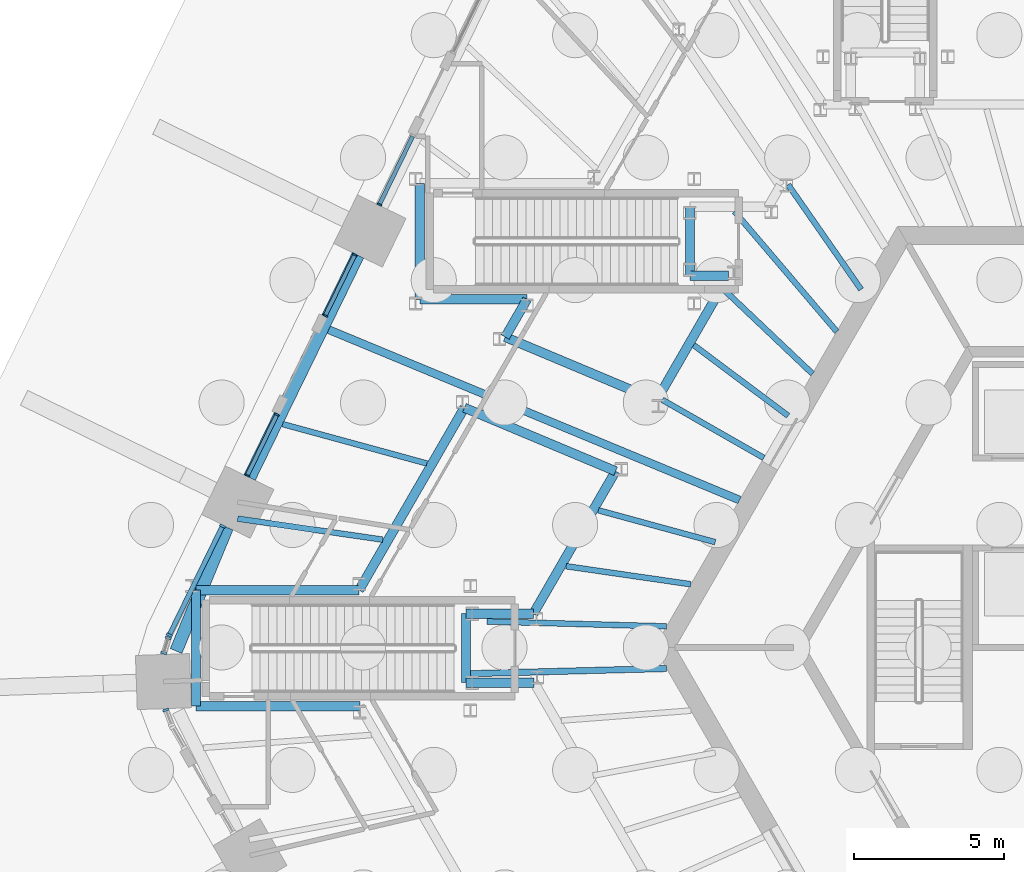
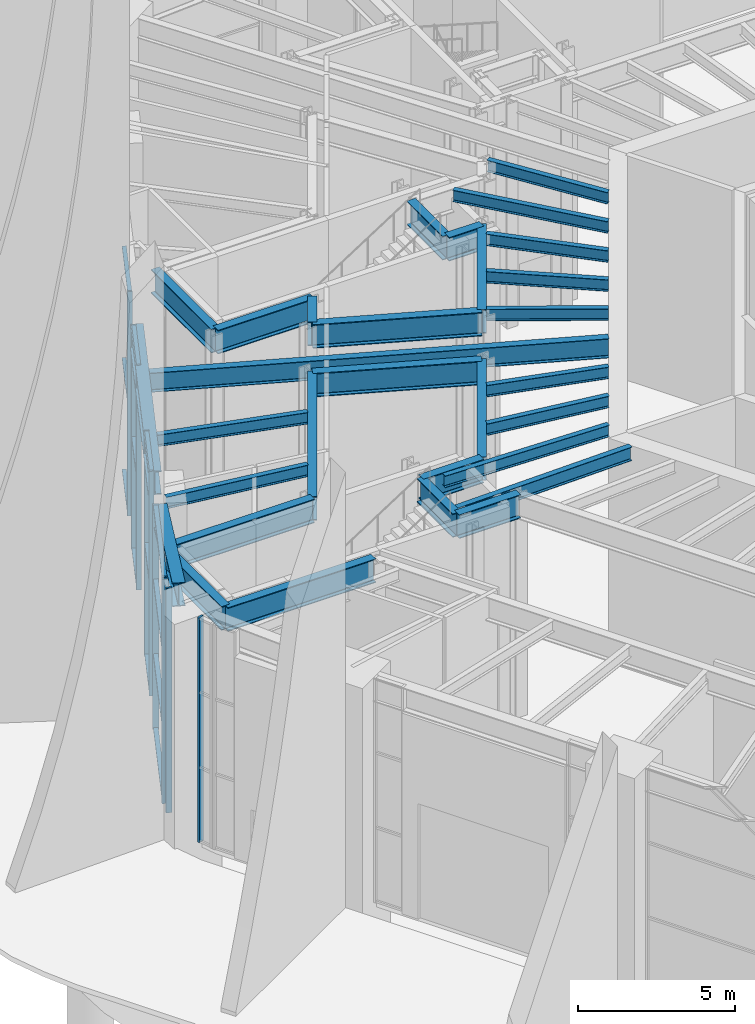
# One storey, part 9 of 43: 30 beams, 23 members, 6 elements without a shape of their own.
"""IFC4 building model written with IfcOpenShell, lengths in metres."""

import ifcopenshell
import ifcopenshell.guid

model = None  # the IFC model being written
_history = None  # IfcOwnerHistory: only IFC2X3 demands one
_inside = {}  # id of a spatial element -> (the spatial element, [elements in it])
_under = {}  # id of a project, library or spatial element -> (it, [spatial elements below it])
_declared = {}  # id of a project -> (the project, [libraries it declares])
_typed = {}  # id of a type object -> (the type object, [elements of that type])
_made_of = {}  # id of a material, layer set ... -> (it, [elements and type objects made of it])


def new_model(schema):
    """Start an empty IFC model of exactly this schema.

    Asked for "IFC4X3", IfcOpenShell would pick the latest addendum, in which some entities
    have other attributes; the version numbers below select the first issue.
    IFC2X3 requires an IfcOwnerHistory on every rooted entity: one is made here for all.
    """
    global model, _history
    if schema == "IFC4X3":
        model = ifcopenshell.file(schema_version=(4, 3, 0, 0))
    else:
        model = ifcopenshell.file(schema=schema)
    _inside.clear()
    _under.clear()
    _declared.clear()
    _typed.clear()
    _made_of.clear()
    _history = None
    if model.schema == "IFC2X3":
        org = make("IfcOrganization", Name="unknown")
        user = make(
            "IfcPersonAndOrganization",
            ThePerson=make("IfcPerson", FamilyName="unknown"),
            TheOrganization=org,
        )
        app = make(
            "IfcApplication",
            ApplicationDeveloper=org,
            Version="unknown",
            ApplicationFullName="unknown",
            ApplicationIdentifier="unknown",
        )
        _history = make(
            "IfcOwnerHistory",
            OwningUser=user,
            OwningApplication=app,
            ChangeAction="ADDED",
            CreationDate=0,
        )
    return model


def make(cls, **values):
    """One entity of the class cls with the attributes given. An attribute that is None is left unset."""
    return model.create_entity(
        cls, **{name: value for name, value in values.items() if value is not None}
    )


def rooted(cls, **values):
    """An entity with a GlobalId (a new one), such as an element, a storey or a relation."""
    return make(cls, GlobalId=ifcopenshell.guid.new(), OwnerHistory=_history, **values)


def si_unit(unit_type, name, prefix=None):
    """IfcSIUnit, for example si_unit("LENGTHUNIT", "METRE", prefix="MILLI")."""
    return make("IfcSIUnit", UnitType=unit_type, Prefix=prefix, Name=name)


def assignment(units):
    """IfcUnitAssignment: the units of a project."""
    return None if units is None else make("IfcUnitAssignment", Units=units)


def point(xyz):
    """IfcCartesianPoint."""
    return None if xyz is None else make("IfcCartesianPoint", Coordinates=xyz)


def direction(xyz):
    """IfcDirection."""
    return None if xyz is None else make("IfcDirection", DirectionRatios=xyz)


def frame(location, z_axis=None, x_axis=None):
    """IfcAxis2Placement3D, a coordinate frame: its origin and axes. An axis left out is left unset."""
    return make(
        "IfcAxis2Placement3D",
        Location=point(location),
        Axis=direction(z_axis),
        RefDirection=direction(x_axis),
    )


def frame_2d(location, x_axis=None):
    """IfcAxis2Placement2D, a coordinate frame in the plane: its origin and x axis."""
    return make(
        "IfcAxis2Placement2D", Location=point(location), RefDirection=direction(x_axis)
    )


def origin():
    """The frame at (0, 0, 0) with its axes left unset."""
    return frame((0.0, 0.0, 0.0))


def origin_2d():
    """The frame at (0, 0) in the plane with its x axis left unset."""
    return frame_2d((0.0, 0.0))


def place(relative_to, where):
    """IfcLocalPlacement: puts the frame where relative to a parent placement (None: the world)."""
    return make(
        "IfcLocalPlacement", PlacementRelTo=relative_to, RelativePlacement=where
    )


def context(
    kind, dimensions, precision=None, world=None, true_north=None, identifier=None
):
    """IfcGeometricRepresentationContext, for example the 3D "Model" context."""
    return make(
        "IfcGeometricRepresentationContext",
        ContextIdentifier=identifier,
        ContextType=kind,
        CoordinateSpaceDimension=dimensions,
        Precision=precision,
        WorldCoordinateSystem=world,
        TrueNorth=true_north,
    )


def subcontext(parent, identifier, kind, view, scale=None):
    """IfcGeometricRepresentationSubContext, for example "Body" below "Model"."""
    return make(
        "IfcGeometricRepresentationSubContext",
        ContextIdentifier=identifier,
        ContextType=kind,
        ParentContext=parent,
        TargetScale=scale,
        TargetView=view,
    )


def project(units=None, contexts=None):
    """IfcProject with its units and contexts."""
    return rooted(
        "IfcProject",
        Name="project",
        RepresentationContexts=contexts,
        UnitsInContext=assignment(units),
    )


def spatial(cls, under=None, at=None, **own):
    """A site, building, storey or space (cls), placed at a placement, below another one or the project."""
    s = rooted(cls, ObjectPlacement=at, **own)
    if under is not None:
        _under.setdefault(under.id(), (under, []))[1].append(s)
    return s


def profile(cls, at=None, kind="AREA", **sizes):
    """A parametric profile (cls). Its sizes go by their IFC names, for example OverallWidth=200.0."""
    return make(cls, ProfileType=kind, Position=at, **sizes)


def rectangle(**sizes):
    """IfcRectangleProfileDef."""
    return profile("IfcRectangleProfileDef", **sizes)


def i_section(**sizes):
    """IfcIShapeProfileDef."""
    return profile("IfcIShapeProfileDef", **sizes)


def extrude(swept, where, along, depth):
    """IfcExtrudedAreaSolid: the profile swept, set in the frame where, extruded along a direction by depth."""
    return make(
        "IfcExtrudedAreaSolid",
        SweptArea=swept,
        Position=where,
        ExtrudedDirection=direction(along),
        Depth=depth,
    )


def shape(context_of_items, identifier, shape_type, items):
    """IfcShapeRepresentation: the items that make up one representation, for example the "Body"."""
    return make(
        "IfcShapeRepresentation",
        ContextOfItems=context_of_items,
        RepresentationIdentifier=identifier,
        RepresentationType=shape_type,
        Items=items,
    )


def material(Name=None, Category=None):
    """IfcMaterial."""
    return make("IfcMaterial", Name=Name, Category=Category)


def material_profile(
    of_material, cross_section, Name=None, Category=None, Priority=None
):
    """IfcMaterialProfile: a cross section and its material."""
    return make(
        "IfcMaterialProfile",
        Name=Name,
        Material=of_material,
        Profile=cross_section,
        Priority=Priority,
        Category=Category,
    )


def profile_set(profiles, Name=None, composite=None):
    """IfcMaterialProfileSet."""
    return make(
        "IfcMaterialProfileSet",
        Name=Name,
        MaterialProfiles=profiles,
        CompositeProfile=composite,
    )


def made_of(thing, what):
    """Note that an element or type object is made of a material, layer set ...; save() writes the relation."""
    if what is not None:
        _made_of.setdefault(what.id(), (what, []))[1].append(thing)
    return thing


def type_object(cls, material=None, **own):
    """A type object (cls), such as IfcWallType, which elements share."""
    return made_of(rooted(cls, **own), material)


def element(
    cls,
    number,
    at=None,
    inside=None,
    cuts=None,
    type_object=None,
    material=None,
    context=None,
    identifier="Body",
    shape_type=None,
    held_by="IfcProductDefinitionShape",
    body=None,
    shapes=None,
    **own,
):
    """One element of the class cls, such as IfcWall. Its Tag is "e" and its number.

    at: its placement. inside: the storey or other place that contains it. cuts: it is an
    opening in that element (IfcRelVoidsElement). A single representation is given by context,
    identifier, shape_type and body (its items); several are given by shapes. held_by: the class
    of the entity that holds the representations. save() writes the other relations.
    """
    e = rooted(cls, Tag="e%d" % number, ObjectPlacement=at, **own)
    if body is not None:
        shapes = [shape(context, identifier, shape_type, body)]
    if shapes is not None:
        e.Representation = make(held_by, Representations=shapes)
    if inside is not None:
        _inside.setdefault(inside.id(), (inside, []))[1].append(e)
    if cuts is not None:
        rooted(
            "IfcRelVoidsElement", RelatingBuildingElement=cuts, RelatedOpeningElement=e
        )
    if type_object is not None:
        _typed.setdefault(type_object.id(), (type_object, []))[1].append(e)
    return made_of(e, material)


def aggregate(whole, parts):
    """IfcRelAggregates: a whole, such as a stair, and the parts it consists of."""
    return rooted("IfcRelAggregates", RelatingObject=whole, RelatedObjects=parts)


def save(model, path):
    """Write the relations noted so far, then the file.

    IfcRelAggregates (storeys below a building ...), IfcRelContainedInSpatialStructure (elements
    in a storey), IfcRelDefinesByType, IfcRelAssociatesMaterial and IfcRelDeclares: one each for
    every whole, place, type object, material and project.
    """
    for whole, parts in _under.values():
        aggregate(whole, parts)
    for where, things in _inside.values():
        rooted(
            "IfcRelContainedInSpatialStructure",
            RelatedElements=things,
            RelatingStructure=where,
        )
    for kind, things in _typed.values():
        rooted("IfcRelDefinesByType", RelatedObjects=things, RelatingType=kind)
    for what, things in _made_of.values():
        rooted("IfcRelAssociatesMaterial", RelatedObjects=things, RelatingMaterial=what)
    for by, libraries in _declared.values():
        rooted("IfcRelDeclares", RelatingContext=by, RelatedDefinitions=libraries)
    model.write(path)


model = new_model("IFC4")

# Units and contexts
model_context = context("Model", 3, precision=1e-05, world=origin(), true_north=direction((0.0, 1.0)))
body_context = subcontext(model_context, "Body", "Model", "MODEL_VIEW")
ifc_project = project(units=[si_unit("LENGTHUNIT", "METRE"), si_unit("AREAUNIT", "SQUARE_METRE"), si_unit("VOLUMEUNIT", "CUBIC_METRE"), si_unit("PLANEANGLEUNIT", "RADIAN"), si_unit("MASSUNIT", "GRAM", prefix="KILO")], contexts=[model_context])

# Site, building, storey
site_placement = place(None, origin())
site = spatial("IfcSite", under=ifc_project, at=site_placement, CompositionType="ELEMENT")
building_placement = place(site_placement, origin())
building = spatial("IfcBuilding", under=site, at=building_placement, Name="Tarnside Tower", CompositionType="ELEMENT")
storey_placement = place(building_placement, origin())
storey = spatial("IfcBuildingStorey", under=building, at=storey_placement, Name="L00", CompositionType="ELEMENT", Elevation=0.0)

# Beams
ifc_material_1 = material(Name="Steel S355", Category="steel")
ifc_material_profile_1 = material_profile(ifc_material_1, i_section(OverallWidth=0.18994140625, OverallDepth=0.453369140625, WebThickness=0.008544921875, FlangeThickness=0.0126953125, FilletRadius=0.01025390625, at=origin_2d()), Name="UB 457x191x67")
ifc_profile_set_1 = profile_set([ifc_material_profile_1], Name="Steel S355")
beam_type_1 = type_object("IfcBeamType", Name="Floor beam UB 457x191x67", PredefinedType="BEAM", material=ifc_profile_set_1)
beam_1_placement = place(storey_placement, frame((-11.721435546875, 15.3837890625, 8.523193359375), z_axis=(0.571453644662, -0.820634347321, 0.0), x_axis=(0.820634347321, 0.571453644662, 0.0)))
element("IfcBeam", 1, at=beam_1_placement, inside=storey, type_object=beam_type_1, Name="Floor beam F2.01b", PredefinedType="BEAM", context=body_context, shape_type="SweptSolid", body=[
    extrude(i_section(OverallWidth=0.18994140625, OverallDepth=0.453369140625, WebThickness=0.008544921875, FlangeThickness=0.0126953125, FilletRadius=0.01025390625, at=origin_2d()), origin(), (0.0, 0.0, 1.0), 4.245361328125),
])
beam_2_placement = place(storey_placement, frame((-13.503173828125, 14.4921875, 8.523193359375), z_axis=(0.648345532522, -0.761346222463, 0.0), x_axis=(0.761346222463, 0.648345532522, 0.0)))
element("IfcBeam", 2, at=beam_2_placement, inside=storey, type_object=beam_type_1, Name="Floor beam F2.02b", PredefinedType="BEAM", context=body_context, shape_type="SweptSolid", body=[
    extrude(i_section(OverallWidth=0.18994140625, OverallDepth=0.453369140625, WebThickness=0.008544921875, FlangeThickness=0.0126953125, FilletRadius=0.01025390625, at=origin_2d()), origin(), (0.0, 0.0, 1.0), 5.24365234375),
])
beam_3_placement = place(storey_placement, frame((-13.81640625, 11.85400390625, 8.523193359375), z_axis=(0.725673732816, -0.688038976731, 0.0), x_axis=(0.688038976731, 0.725673732816, 0.0)))
element("IfcBeam", 3, at=beam_3_placement, inside=storey, type_object=beam_type_1, Name="Floor beam F2.03b", PredefinedType="BEAM", context=body_context, shape_type="SweptSolid", body=[
    extrude(i_section(OverallWidth=0.18994140625, OverallDepth=0.453369140625, WebThickness=0.008544921875, FlangeThickness=0.0126953125, FilletRadius=0.01025390625, at=origin_2d()), origin(), (0.0, 0.0, 1.0), 4.00244140625),
])
beam_4_placement = place(storey_placement, frame((-14.857666015625, 10.05029296875, 8.523193359375), z_axis=(0.800336176206, -0.599551503255, 0.0), x_axis=(0.599551503255, 0.800336176206, 0.0)))
element("IfcBeam", 4, at=beam_4_placement, inside=storey, type_object=beam_type_1, Name="Floor beam F2.04b", PredefinedType="BEAM", context=body_context, shape_type="SweptSolid", body=[
    extrude(i_section(OverallWidth=0.18994140625, OverallDepth=0.453369140625, WebThickness=0.008544921875, FlangeThickness=0.0126953125, FilletRadius=0.01025390625, at=origin_2d()), origin(), (0.0, 0.0, 1.0), 3.920166015625),
])
beam_5_placement = place(storey_placement, frame((-15.906494140625, 8.23388671875, 8.523193359375), z_axis=(0.867845291519, -0.496834529786, 0.0), x_axis=(0.496834529786, 0.867845291519, 0.0)))
element("IfcBeam", 5, at=beam_5_placement, inside=storey, type_object=beam_type_1, Name="Floor beam F2.05b", PredefinedType="BEAM", context=body_context, shape_type="SweptSolid", body=[
    extrude(i_section(OverallWidth=0.18994140625, OverallDepth=0.453369140625, WebThickness=0.008544921875, FlangeThickness=0.0126953125, FilletRadius=0.01025390625, at=origin_2d()), origin(), (0.0, 0.0, 1.0), 3.892333984375),
])
beam_6_placement = place(storey_placement, frame((-28.52197265625, 7.424072265625, 8.523193359375), z_axis=(0.964703694866, -0.263337770007, 0.0), x_axis=(0.263337770007, 0.964703694866, 0.0)))
element("IfcBeam", 6, at=beam_6_placement, inside=storey, type_object=beam_type_1, Name="Floor beam F2.07a", PredefinedType="BEAM", context=body_context, shape_type="SweptSolid", body=[
    extrude(i_section(OverallWidth=0.18994140625, OverallDepth=0.453369140625, WebThickness=0.008544921875, FlangeThickness=0.0126953125, FilletRadius=0.01025390625, at=origin_2d()), origin(), (0.0, 0.0, 1.0), 4.96826171875),
])
beam_7_placement = place(storey_placement, frame((-18.027587890625, 4.559814453125, 8.523193359375), z_axis=(0.964705001844, -0.263332982016, 0.0), x_axis=(0.263332982016, 0.964705001844, 0.0)))
element("IfcBeam", 7, at=beam_7_placement, inside=storey, type_object=beam_type_1, Name="Floor beam F2.07b", PredefinedType="BEAM", context=body_context, shape_type="SweptSolid", body=[
    extrude(i_section(OverallWidth=0.18994140625, OverallDepth=0.453369140625, WebThickness=0.008544921875, FlangeThickness=0.0126953125, FilletRadius=0.01025390625, at=origin_2d()), origin(), (0.0, 0.0, 1.0), 4.024658203125),
])
beam_8_placement = place(storey_placement, frame((-30.019775390625, 4.28173828125, 8.523193359375), z_axis=(0.989676446556, -0.143319681597, 0.0), x_axis=(0.143319681597, 0.989676446556, 0.0)))
element("IfcBeam", 8, at=beam_8_placement, inside=storey, type_object=beam_type_1, Name="Floor beam F2.08a", PredefinedType="BEAM", context=body_context, shape_type="SweptSolid", body=[
    extrude(i_section(OverallWidth=0.18994140625, OverallDepth=0.453369140625, WebThickness=0.008544921875, FlangeThickness=0.0126953125, FilletRadius=0.01025390625, at=origin_2d()), origin(), (0.0, 0.0, 1.0), 4.878662109375),
])
beam_9_placement = place(storey_placement, frame((-19.10107421875, 2.70068359375, 8.523193359375), z_axis=(0.989678567183, -0.143305037099, 0.0), x_axis=(0.143305037099, 0.989678567183, 0.0)))
element("IfcBeam", 9, at=beam_9_placement, inside=storey, type_object=beam_type_1, Name="Floor beam F2.08b", PredefinedType="BEAM", context=body_context, shape_type="SweptSolid", body=[
    extrude(i_section(OverallWidth=0.18994140625, OverallDepth=0.453369140625, WebThickness=0.008544921875, FlangeThickness=0.0126953125, FilletRadius=0.01025390625, at=origin_2d()), origin(), (0.0, 0.0, 1.0), 4.19091796875),
])
beam_10_placement = place(storey_placement, frame((-21.732421875, 0.8642578125, 8.523193359375), z_axis=(0.999621572487, -0.027508395416, 0.0), x_axis=(0.027508395416, 0.999621572487, 0.0)))
element("IfcBeam", 10, at=beam_10_placement, inside=storey, type_object=beam_type_1, Name="Floor beam F2.09", PredefinedType="BEAM", context=body_context, shape_type="SweptSolid", body=[
    extrude(i_section(OverallWidth=0.18994140625, OverallDepth=0.453369140625, WebThickness=0.008544921875, FlangeThickness=0.0126953125, FilletRadius=0.01025390625, at=origin_2d()), origin(), (0.0, 0.0, 1.0), 5.972900390625),
])
ifc_material_profile_2 = material_profile(ifc_material_1, i_section(OverallWidth=0.209228515625, OverallDepth=0.533203125, WebThickness=0.010009765625, FlangeThickness=0.015625, FilletRadius=0.0126953125, at=origin_2d()), Name="UB 533x210x92")
ifc_profile_set_2 = profile_set([ifc_material_profile_2], Name="Steel S355")
beam_type_2 = type_object("IfcBeamType", Name="Floor beam UB 533x210x92", PredefinedType="BEAM", material=ifc_profile_set_2)
beam_11_placement = place(storey_placement, frame((-22.272216796875, -0.87109375, 8.4833984375), z_axis=(0.99965467127, 0.026278093695, 0.0), x_axis=(-0.026278093695, 0.99965467127, 0.0)))
element("IfcBeam", 11, at=beam_11_placement, inside=storey, type_object=beam_type_2, Name="Floor beam C2", PredefinedType="BEAM", context=body_context, shape_type="SweptSolid", body=[
    extrude(i_section(OverallWidth=0.209228515625, OverallDepth=0.533203125, WebThickness=0.010009765625, FlangeThickness=0.015625, FilletRadius=0.0126953125, at=origin_2d()), origin(), (0.0, 0.0, 1.0), 6.5126953125),
])
ifc_material_profile_3 = material_profile(ifc_material_1, i_section(OverallWidth=0.26513671875, OverallDepth=0.75390625, WebThickness=0.0126953125, FlangeThickness=0.017578125, FilletRadius=0.0166015625, at=origin_2d()), Name="UB 762x267x147")
ifc_profile_set_3 = profile_set([ifc_material_profile_3], Name="Steel S355")
beam_type_3 = type_object("IfcBeamType", Name="Floor beam UB 762x267x147", PredefinedType="BEAM", material=ifc_profile_set_3)
beam_12_placement = place(storey_placement, frame((-26.990966796875, 10.56298828125, 8.373046875), z_axis=(0.92370262903, -0.383110236254, 0.0), x_axis=(0.383110236254, 0.92370262903, 0.0)))
element("IfcBeam", 12, at=beam_12_placement, inside=storey, type_object=beam_type_3, Name="Floor beam F2.06", PredefinedType="BEAM", context=body_context, shape_type="SweptSolid", body=[
    extrude(i_section(OverallWidth=0.26513671875, OverallDepth=0.75390625, WebThickness=0.0126953125, FlangeThickness=0.017578125, FilletRadius=0.0166015625, at=origin_2d()), origin(), (0.0, 0.0, 1.0), 14.781982421875),
])
ifc_material_profile_4 = material_profile(ifc_material_1, i_section(OverallWidth=0.3076171875, OverallDepth=0.926513671875, WebThickness=0.01953125, FlangeThickness=0.031982421875, FilletRadius=0.01904296875, at=origin_2d()), Name="UB 914x305x289")
ifc_profile_set_4 = profile_set([ifc_material_profile_4], Name="Steel S355")
beam_type_4 = type_object("IfcBeamType", Name="Perimeter girder UB 914x305x289", PredefinedType="BEAM", material=ifc_profile_set_4)
beam_13_placement = place(storey_placement, frame((-25.9541015625, -1.953857421875, 8.28662109375), z_axis=(-1.0, 0.0, 0.0), x_axis=(0.0, -1.0, 0.0)))
element("IfcBeam", 13, at=beam_13_placement, inside=storey, type_object=beam_type_4, Name="Perimeter girder T50", PredefinedType="BEAM", context=body_context, shape_type="SweptSolid", body=[
    extrude(i_section(OverallWidth=0.3076171875, OverallDepth=0.926513671875, WebThickness=0.01953125, FlangeThickness=0.031982421875, FilletRadius=0.01904296875, at=origin_2d()), origin(), (0.0, 0.0, 1.0), 5.44970703125),
])
beam_14_placement = place(storey_placement, frame((-31.40380859375, -1.953857421875, 8.28662109375), z_axis=(0.0, 1.0, 0.0), x_axis=(-1.0, 0.0, 0.0)))
element("IfcBeam", 14, at=beam_14_placement, inside=storey, type_object=beam_type_4, Name="Perimeter girder T51", PredefinedType="BEAM", context=body_context, shape_type="SweptSolid", body=[
    extrude(i_section(OverallWidth=0.3076171875, OverallDepth=0.926513671875, WebThickness=0.01953125, FlangeThickness=0.031982421875, FilletRadius=0.01904296875, at=origin_2d()), origin(), (0.0, 0.0, 1.0), 3.857666015625),
])
beam_15_placement = place(storey_placement, frame((-31.40380859375, 1.90380859375, 8.28662109375), z_axis=(1.0, 0.0, 0.0), x_axis=(0.0, 1.0, 0.0)))
element("IfcBeam", 15, at=beam_15_placement, inside=storey, type_object=beam_type_4, Name="Perimeter girder T52", PredefinedType="BEAM", context=body_context, shape_type="SweptSolid", body=[
    extrude(i_section(OverallWidth=0.3076171875, OverallDepth=0.926513671875, WebThickness=0.01953125, FlangeThickness=0.031982421875, FilletRadius=0.01904296875, at=origin_2d()), origin(), (0.0, 0.0, 1.0), 5.4208984375),
])
beam_16_placement = place(storey_placement, frame((-25.98291015625, 1.90380859375, 8.28662109375), z_axis=(0.499994090379, 0.866028815679, 0.0), x_axis=(-0.866028815679, 0.499994090379, 0.0)))
element("IfcBeam", 16, at=beam_16_placement, inside=storey, type_object=beam_type_4, Name="Perimeter girder T53", PredefinedType="BEAM", context=body_context, shape_type="SweptSolid", body=[
    extrude(i_section(OverallWidth=0.3076171875, OverallDepth=0.926513671875, WebThickness=0.01953125, FlangeThickness=0.031982421875, FilletRadius=0.01904296875, at=origin_2d()), origin(), (0.0, 0.0, 1.0), 7.001953125),
])
beam_17_placement = place(storey_placement, frame((-22.48193359375, 7.9677734375, 8.28662109375), z_axis=(0.922193351346, -0.386729133547, 0.0), x_axis=(0.386729133547, 0.922193351346, 0.0)))
element("IfcBeam", 17, at=beam_17_placement, inside=storey, type_object=beam_type_4, Name="Perimeter girder T54", PredefinedType="BEAM", context=body_context, shape_type="SweptSolid", body=[
    extrude(i_section(OverallWidth=0.3076171875, OverallDepth=0.926513671875, WebThickness=0.01953125, FlangeThickness=0.031982421875, FilletRadius=0.01904296875, at=origin_2d()), origin(), (0.0, 0.0, 1.0), 5.451171875),
])
beam_18_placement = place(storey_placement, frame((-17.454833984375, 5.859619140625, 8.28662109375), z_axis=(-0.500006981563, -0.86602137294, 0.0), x_axis=(0.86602137294, -0.500006981563, 0.0)))
element("IfcBeam", 18, at=beam_18_placement, inside=storey, type_object=beam_type_4, Name="Perimeter girder T55", PredefinedType="BEAM", context=body_context, shape_type="SweptSolid", body=[
    extrude(i_section(OverallWidth=0.3076171875, OverallDepth=0.926513671875, WebThickness=0.01953125, FlangeThickness=0.031982421875, FilletRadius=0.01904296875, at=origin_2d()), origin(), (0.0, 0.0, 1.0), 5.4716796875),
])
beam_19_placement = place(storey_placement, frame((-20.190673828125, 1.12109375, 8.28662109375), z_axis=(-1.0, 0.0, 0.0), x_axis=(0.0, -1.0, 0.0)))
element("IfcBeam", 19, at=beam_19_placement, inside=storey, type_object=beam_type_4, Name="Perimeter girder T56", PredefinedType="BEAM", context=body_context, shape_type="SweptSolid", body=[
    extrude(i_section(OverallWidth=0.3076171875, OverallDepth=0.926513671875, WebThickness=0.01953125, FlangeThickness=0.031982421875, FilletRadius=0.01904296875, at=origin_2d()), origin(), (0.0, 0.0, 1.0), 2.2353515625),
])
beam_20_placement = place(storey_placement, frame((-22.426025390625, 1.12109375, 8.28662109375), z_axis=(0.0, -1.0, 0.0), x_axis=(1.0, 0.0, 0.0)))
element("IfcBeam", 20, at=beam_20_placement, inside=storey, type_object=beam_type_4, Name="Perimeter girder T57", PredefinedType="BEAM", context=body_context, shape_type="SweptSolid", body=[
    extrude(i_section(OverallWidth=0.3076171875, OverallDepth=0.926513671875, WebThickness=0.01953125, FlangeThickness=0.031982421875, FilletRadius=0.01904296875, at=origin_2d()), origin(), (0.0, 0.0, 1.0), 2.292236328125),
])
beam_21_placement = place(storey_placement, frame((-22.426025390625, -1.171142578125, 8.28662109375), z_axis=(1.0, 0.0, 0.0), x_axis=(0.0, 1.0, 0.0)))
element("IfcBeam", 21, at=beam_21_placement, inside=storey, type_object=beam_type_4, Name="Perimeter girder T58", PredefinedType="BEAM", context=body_context, shape_type="SweptSolid", body=[
    extrude(i_section(OverallWidth=0.3076171875, OverallDepth=0.926513671875, WebThickness=0.01953125, FlangeThickness=0.031982421875, FilletRadius=0.01904296875, at=origin_2d()), origin(), (0.0, 0.0, 1.0), 2.264404296875),
])
beam_22_placement = place(storey_placement, frame((-16.097900390625, 8.210205078125, 8.28662109375), z_axis=(-0.922209323355, 0.386691044527, 0.0), x_axis=(-0.386691044527, -0.922209323355, 0.0)))
element("IfcBeam", 22, at=beam_22_placement, inside=storey, type_object=beam_type_4, Name="Perimeter girder T62", PredefinedType="BEAM", context=body_context, shape_type="SweptSolid", body=[
    extrude(i_section(OverallWidth=0.3076171875, OverallDepth=0.926513671875, WebThickness=0.01953125, FlangeThickness=0.031982421875, FilletRadius=0.01904296875, at=origin_2d()), origin(), (0.0, 0.0, 1.0), 5.451171875),
])
beam_23_placement = place(storey_placement, frame((-21.125, 10.318115234375, 8.28662109375), z_axis=(0.499931800056, 0.86606477546, 0.0), x_axis=(-0.86606477546, 0.499931800056, 0.0)))
element("IfcBeam", 23, at=beam_23_placement, inside=storey, type_object=beam_type_4, Name="Perimeter girder T63", PredefinedType="BEAM", context=body_context, shape_type="SweptSolid", body=[
    extrude(i_section(OverallWidth=0.3076171875, OverallDepth=0.926513671875, WebThickness=0.01953125, FlangeThickness=0.031982421875, FilletRadius=0.01904296875, at=origin_2d()), origin(), (0.0, 0.0, 1.0), 1.447021484375),
])
beam_24_placement = place(storey_placement, frame((-20.401611328125, 11.5712890625, 8.28662109375), z_axis=(-1.0, 0.0, 0.0), x_axis=(0.0, -1.0, 0.0)))
element("IfcBeam", 24, at=beam_24_placement, inside=storey, type_object=beam_type_4, Name="Perimeter girder T64", PredefinedType="BEAM", context=body_context, shape_type="SweptSolid", body=[
    extrude(i_section(OverallWidth=0.3076171875, OverallDepth=0.926513671875, WebThickness=0.01953125, FlangeThickness=0.031982421875, FilletRadius=0.01904296875, at=origin_2d()), origin(), (0.0, 0.0, 1.0), 3.562255859375),
])
beam_25_placement = place(storey_placement, frame((-23.9638671875, 11.5712890625, 8.28662109375), z_axis=(0.0, 1.0, 0.0), x_axis=(-1.0, 0.0, 0.0)))
element("IfcBeam", 25, at=beam_25_placement, inside=storey, type_object=beam_type_4, Name="Perimeter girder T65", PredefinedType="BEAM", context=body_context, shape_type="SweptSolid", body=[
    extrude(i_section(OverallWidth=0.3076171875, OverallDepth=0.926513671875, WebThickness=0.01953125, FlangeThickness=0.031982421875, FilletRadius=0.01904296875, at=origin_2d()), origin(), (0.0, 0.0, 1.0), 3.857421875),
])
beam_26_placement = place(storey_placement, frame((-14.986083984375, 14.646240234375, 8.28662109375), z_axis=(0.0, -1.0, 0.0), x_axis=(1.0, 0.0, 0.0)))
element("IfcBeam", 26, at=beam_26_placement, inside=storey, type_object=beam_type_4, Name="Perimeter girder T71", PredefinedType="BEAM", context=body_context, shape_type="SweptSolid", body=[
    extrude(i_section(OverallWidth=0.3076171875, OverallDepth=0.926513671875, WebThickness=0.01953125, FlangeThickness=0.031982421875, FilletRadius=0.01904296875, at=origin_2d()), origin(), (0.0, 0.0, 1.0), 2.29248046875),
])
beam_27_placement = place(storey_placement, frame((-14.986083984375, 12.353759765625, 8.28662109375), z_axis=(1.0, 0.0, 0.0), x_axis=(0.0, 1.0, 0.0)))
element("IfcBeam", 27, at=beam_27_placement, inside=storey, type_object=beam_type_4, Name="Perimeter girder T72", PredefinedType="BEAM", context=body_context, shape_type="SweptSolid", body=[
    extrude(i_section(OverallWidth=0.3076171875, OverallDepth=0.926513671875, WebThickness=0.01953125, FlangeThickness=0.031982421875, FilletRadius=0.01904296875, at=origin_2d()), origin(), (0.0, 0.0, 1.0), 1.28076171875),
])
beam_28_placement = place(storey_placement, frame((-13.705322265625, 12.353759765625, 8.28662109375), z_axis=(-0.500046351717, -0.865998640954, 0.0), x_axis=(0.865998640954, -0.500046351717, 0.0)))
element("IfcBeam", 28, at=beam_28_placement, inside=storey, type_object=beam_type_4, Name="Perimeter girder T73", PredefinedType="BEAM", context=body_context, shape_type="SweptSolid", body=[
    extrude(i_section(OverallWidth=0.3076171875, OverallDepth=0.926513671875, WebThickness=0.01953125, FlangeThickness=0.031982421875, FilletRadius=0.01904296875, at=origin_2d()), origin(), (0.0, 0.0, 1.0), 4.78466796875),
])
ifc_material_2 = material(Name="Steel S460", Category="steel")
ifc_material_profile_5 = material_profile(ifc_material_2, i_section(OverallWidth=0.42041015625, OverallDepth=0.9208984375, WebThickness=0.021484375, FlangeThickness=0.03662109375, FilletRadius=0.024169921875, at=origin_2d()), Name="UB 914x419x388")
ifc_profile_set_5 = profile_set([ifc_material_profile_5], Name="Steel S460")
beam_type_5 = type_object("IfcBeamType", Name="Perimeter girder UB 914x419x388", PredefinedType="BEAM", material=ifc_profile_set_5)
beam_29_placement = place(storey_placement, frame((-26.0185546875, 13.0361328125, 8.28955078125), z_axis=(-0.438368649743, -0.898795264186, 0.0), x_axis=(0.898795264186, -0.438368649743, 0.0)))
element("IfcBeam", 29, at=beam_29_placement, inside=storey, type_object=beam_type_5, Name="Perimeter girder M06", PredefinedType="BEAM", context=body_context, shape_type="SweptSolid", body=[
    extrude(i_section(OverallWidth=0.42041015625, OverallDepth=0.9208984375, WebThickness=0.021484375, FlangeThickness=0.03662109375, FilletRadius=0.024169921875, at=origin_2d()), origin(), (0.0, 0.0, 1.0), 8.2236328125),
])
beam_30_placement = place(storey_placement, frame((-30.36962890625, 3.985595703125, 8.28955078125), z_axis=(-0.381974575495, -0.924172832145, 0.0), x_axis=(0.924172832145, -0.381974575495, 0.0)))
element("IfcBeam", 30, at=beam_30_placement, inside=storey, type_object=beam_type_5, Name="Perimeter girder M07", PredefinedType="BEAM", context=body_context, shape_type="SweptSolid", body=[
    extrude(i_section(OverallWidth=0.42041015625, OverallDepth=0.9208984375, WebThickness=0.021484375, FlangeThickness=0.03662109375, FilletRadius=0.024169921875, at=origin_2d()), origin(), (0.0, 0.0, 1.0), 4.440185546875),
])

# Curtain wall, member
ifc_material_3 = material(Name="Retail shopfront glazing wall", Category="glass")
curtain_wall_type_1 = type_object("IfcCurtainWallType", Name="Retail shopfront glazing wall", PredefinedType="NOTDEFINED", material=ifc_material_3)
curtain_wall_1_placement = place(storey_placement, origin())
curtain_wall_1 = element("IfcCurtainWall", 31, at=curtain_wall_1_placement, inside=storey, type_object=curtain_wall_type_1, Name="Side light 04b", PredefinedType="NOTDEFINED")
ifc_material_4 = material(Name="Aluminium alloy 6063", Category="aluminium")
ifc_material_profile_6 = material_profile(ifc_material_4, rectangle(XDim=0.159912109375, YDim=0.06005859375, at=origin_2d()), Name="Retail shopfront glazing mullion 60 x 160")
ifc_profile_set_6 = profile_set([ifc_material_profile_6], Name="Aluminium alloy 6063")
member_type_1 = type_object("IfcMemberType", Name="Retail shopfront glazing mullion 60 x 160", PredefinedType="MULLION", material=ifc_profile_set_6)
member_1_placement = place(storey_placement, frame((-25.30615234375, 14.724853515625, 0.0), z_axis=(0.0, 0.0, 1.0), x_axis=(0.898794046253, -0.438371146883, 0.0)))
member_1 = element("IfcMember", 32, at=member_1_placement, type_object=member_type_1, Name="CW2 mullion 2", PredefinedType="MULLION", context=body_context, shape_type="SweptSolid", body=[
    extrude(rectangle(XDim=0.159912109375, YDim=0.06005859375, at=origin_2d()), origin(), (0.0, 0.0, 1.0), 8.75),
])

# Curtain wall, members
curtain_wall_2_placement = place(storey_placement, origin())
curtain_wall_2 = element("IfcCurtainWall", 33, at=curtain_wall_2_placement, inside=storey, type_object=curtain_wall_type_1, Name="Side light 05a", PredefinedType="NOTDEFINED")
member_2_placement = place(storey_placement, frame((-26.12158203125, 13.052978515625, 0.0), z_axis=(0.0, 0.0, 1.0), x_axis=(0.89879404623, -0.43837114693, 0.0)))
member_2 = element("IfcMember", 34, at=member_2_placement, type_object=member_type_1, Name="CW2 mullion 1", PredefinedType="MULLION", context=body_context, shape_type="SweptSolid", body=[
    extrude(rectangle(XDim=0.159912109375, YDim=0.06005859375, at=origin_2d()), origin(), (0.0, 0.0, 1.0), 8.75),
])
member_3_placement = place(storey_placement, frame((-27.108642578125, 11.029052734375, 0.0), z_axis=(0.0, 0.0, 1.0), x_axis=(0.89879404623, -0.43837114693, 0.0)))
member_3 = element("IfcMember", 35, at=member_3_placement, type_object=member_type_1, Name="CW2 mullion 2", PredefinedType="MULLION", context=body_context, shape_type="SweptSolid", body=[
    extrude(rectangle(XDim=0.159912109375, YDim=0.06005859375, at=origin_2d()), origin(), (0.0, 0.0, 1.0), 8.75),
])

curtain_wall_3_placement = place(storey_placement, origin())
curtain_wall_3 = element("IfcCurtainWall", 36, at=curtain_wall_3_placement, inside=storey, type_object=curtain_wall_type_1, Name="Side light 05b", PredefinedType="NOTDEFINED")
member_4_placement = place(storey_placement, frame((-28.713134765625, 7.739501953125, 0.0), z_axis=(0.0, 0.0, 1.0), x_axis=(0.89879404623, -0.43837114693, 0.0)))
member_4 = element("IfcMember", 37, at=member_4_placement, type_object=member_type_1, Name="CW2 mullion 1", PredefinedType="MULLION", context=body_context, shape_type="SweptSolid", body=[
    extrude(rectangle(XDim=0.159912109375, YDim=0.06005859375, at=origin_2d()), origin(), (0.0, 0.0, 1.0), 8.75),
])
member_5_placement = place(storey_placement, frame((-29.7001953125, 5.715576171875, 0.0), z_axis=(0.0, 0.0, 1.0), x_axis=(0.89879404623, -0.43837114693, 0.0)))
member_5 = element("IfcMember", 38, at=member_5_placement, type_object=member_type_1, Name="CW2 mullion 2", PredefinedType="MULLION", context=body_context, shape_type="SweptSolid", body=[
    extrude(rectangle(XDim=0.159912109375, YDim=0.06005859375, at=origin_2d()), origin(), (0.0, 0.0, 1.0), 8.75),
])

# Member
ifc_material_profile_7 = material_profile(ifc_material_4, rectangle(XDim=0.139892578125, YDim=0.06005859375, at=origin_2d()), Name="Retail shopfront glazing transom 60 x 140")
ifc_profile_set_7 = profile_set([ifc_material_profile_7], Name="Aluminium alloy 6063")
member_type_2 = type_object("IfcMemberType", Name="Retail shopfront glazing transom 60 x 140", PredefinedType="USERDEFINED", material=ifc_profile_set_7)
member_6_placement = place(storey_placement, frame((-24.20068359375, 16.991455078125, 0.030029296875), z_axis=(-0.438334836701, -0.898811755005, 0.0), x_axis=(0.898811755005, -0.438334836701, 0.0)))
member_6 = element("IfcMember", 39, at=member_6_placement, type_object=member_type_2, Name="CW2 transom 1.1", ObjectType="TRANSOM", PredefinedType="USERDEFINED", context=body_context, shape_type="SweptSolid", body=[
    extrude(rectangle(XDim=0.139892578125, YDim=0.06005859375, at=origin_2d()), origin(), (0.0, 0.0, 1.0), 2.491943359375),
])

member_7_placement = place(storey_placement, frame((-24.20068359375, 16.991455078125, 4.375), z_axis=(-0.438334836701, -0.898811755005, 0.0), x_axis=(0.898811755005, -0.438334836701, 0.0)))
member_7 = element("IfcMember", 40, at=member_7_placement, type_object=member_type_2, Name="CW2 transom 1.2", ObjectType="TRANSOM", PredefinedType="USERDEFINED", context=body_context, shape_type="SweptSolid", body=[
    extrude(rectangle(XDim=0.139892578125, YDim=0.06005859375, at=origin_2d()), origin(), (0.0, 0.0, 1.0), 2.491943359375),
])

member_8_placement = place(storey_placement, frame((-24.20068359375, 16.991455078125, 8.719970703125), z_axis=(-0.438334836701, -0.898811755005, 0.0), x_axis=(0.898811755005, -0.438334836701, 0.0)))
member_8 = element("IfcMember", 41, at=member_8_placement, type_object=member_type_2, Name="CW2 transom 1.3", ObjectType="TRANSOM", PredefinedType="USERDEFINED", context=body_context, shape_type="SweptSolid", body=[
    extrude(rectangle(XDim=0.139892578125, YDim=0.06005859375, at=origin_2d()), origin(), (0.0, 0.0, 1.0), 2.491943359375),
])

aggregate(curtain_wall_1, [member_1, member_6, member_7, member_8])

member_9_placement = place(storey_placement, frame((-26.134765625, 13.026123046875, 0.030029296875), z_axis=(-0.438324870606, -0.898816615227, 0.0), x_axis=(0.898816615227, -0.438324870606, 0.0)))
member_9 = element("IfcMember", 42, at=member_9_placement, type_object=member_type_2, Name="CW2 transom 1.1", ObjectType="TRANSOM", PredefinedType="USERDEFINED", context=body_context, shape_type="SweptSolid", body=[
    extrude(rectangle(XDim=0.139892578125, YDim=0.06005859375, at=origin_2d()), origin(), (0.0, 0.0, 1.0), 2.191650390625),
])

member_10_placement = place(storey_placement, frame((-26.134765625, 13.026123046875, 4.375), z_axis=(-0.438324870606, -0.898816615227, 0.0), x_axis=(0.898816615227, -0.438324870606, 0.0)))
member_10 = element("IfcMember", 43, at=member_10_placement, type_object=member_type_2, Name="CW2 transom 1.2", ObjectType="TRANSOM", PredefinedType="USERDEFINED", context=body_context, shape_type="SweptSolid", body=[
    extrude(rectangle(XDim=0.139892578125, YDim=0.06005859375, at=origin_2d()), origin(), (0.0, 0.0, 1.0), 2.191650390625),
])

member_11_placement = place(storey_placement, frame((-26.134765625, 13.026123046875, 8.719970703125), z_axis=(-0.438324870606, -0.898816615227, 0.0), x_axis=(0.898816615227, -0.438324870606, 0.0)))
member_11 = element("IfcMember", 44, at=member_11_placement, type_object=member_type_2, Name="CW2 transom 1.3", ObjectType="TRANSOM", PredefinedType="USERDEFINED", context=body_context, shape_type="SweptSolid", body=[
    extrude(rectangle(XDim=0.139892578125, YDim=0.06005859375, at=origin_2d()), origin(), (0.0, 0.0, 1.0), 2.191650390625),
])

aggregate(curtain_wall_2, [member_2, member_3, member_9, member_10, member_11])

member_12_placement = place(storey_placement, frame((-28.726318359375, 7.712646484375, 0.030029296875), z_axis=(-0.438414853872, -0.898772727615, 0.0), x_axis=(0.898772727615, -0.438414853872, 0.0)))
member_12 = element("IfcMember", 45, at=member_12_placement, type_object=member_type_2, Name="CW2 transom 1.1", ObjectType="TRANSOM", PredefinedType="USERDEFINED", context=body_context, shape_type="SweptSolid", body=[
    extrude(rectangle(XDim=0.139892578125, YDim=0.06005859375, at=origin_2d()), origin(), (0.0, 0.0, 1.0), 2.19189453125),
])

member_13_placement = place(storey_placement, frame((-28.726318359375, 7.712646484375, 4.375), z_axis=(-0.438414853872, -0.898772727615, 0.0), x_axis=(0.898772727615, -0.438414853872, 0.0)))
member_13 = element("IfcMember", 46, at=member_13_placement, type_object=member_type_2, Name="CW2 transom 1.2", ObjectType="TRANSOM", PredefinedType="USERDEFINED", context=body_context, shape_type="SweptSolid", body=[
    extrude(rectangle(XDim=0.139892578125, YDim=0.06005859375, at=origin_2d()), origin(), (0.0, 0.0, 1.0), 2.19189453125),
])

member_14_placement = place(storey_placement, frame((-28.726318359375, 7.712646484375, 8.719970703125), z_axis=(-0.438414853872, -0.898772727615, 0.0), x_axis=(0.898772727615, -0.438414853872, 0.0)))
member_14 = element("IfcMember", 47, at=member_14_placement, type_object=member_type_2, Name="CW2 transom 1.3", ObjectType="TRANSOM", PredefinedType="USERDEFINED", context=body_context, shape_type="SweptSolid", body=[
    extrude(rectangle(XDim=0.139892578125, YDim=0.06005859375, at=origin_2d()), origin(), (0.0, 0.0, 1.0), 2.19189453125),
])

aggregate(curtain_wall_3, [member_4, member_5, member_12, member_13, member_14])

# Curtain wall, members
ifc_material_5 = material(Name="Station concourse glazing wall", Category="glass")
curtain_wall_type_2 = type_object("IfcCurtainWallType", Name="Station concourse glazing wall", PredefinedType="NOTDEFINED", material=ifc_material_5)
curtain_wall_4_placement = place(storey_placement, origin())
curtain_wall_4 = element("IfcCurtainWall", 48, at=curtain_wall_4_placement, inside=storey, type_object=curtain_wall_type_2, Name="Station concourse glazing L00 06.0", PredefinedType="NOTDEFINED")
ifc_material_profile_8 = material_profile(ifc_material_4, rectangle(XDim=0.199951171875, YDim=0.080078125, at=origin_2d()), Name="Station concourse glazing mullion 80 x 200")
ifc_profile_set_8 = profile_set([ifc_material_profile_8], Name="Aluminium alloy 6063")
member_type_3 = type_object("IfcMemberType", Name="Station concourse glazing mullion 80 x 200", PredefinedType="MULLION", material=ifc_profile_set_8)
member_15_placement = place(storey_placement, frame((-30.52001953125, 4.034912109375, 0.0), z_axis=(0.0, 0.0, 1.0), x_axis=(0.898794046314, -0.438371146758, 0.0)))
member_15 = element("IfcMember", 49, at=member_15_placement, type_object=member_type_3, Name="CW1 mullion 1", PredefinedType="MULLION", context=body_context, shape_type="SweptSolid", body=[
    extrude(rectangle(XDim=0.199951171875, YDim=0.080078125, at=origin_2d()), origin(), (0.0, 0.0, 1.0), 8.75),
])
member_16_placement = place(storey_placement, frame((-32.28759765625, 0.4111328125, 0.0), z_axis=(0.0, 0.0, 1.0), x_axis=(0.898794046314, -0.438371146758, 0.0)))
member_16 = element("IfcMember", 50, at=member_16_placement, type_object=member_type_3, Name="CW1 mullion 2", PredefinedType="MULLION", context=body_context, shape_type="SweptSolid", body=[
    extrude(rectangle(XDim=0.199951171875, YDim=0.080078125, at=origin_2d()), origin(), (0.0, 0.0, 1.0), 8.75),
])

curtain_wall_5_placement = place(storey_placement, origin())
curtain_wall_5 = element("IfcCurtainWall", 51, at=curtain_wall_5_placement, inside=storey, type_object=curtain_wall_type_2, Name="Station concourse glazing L00 06.1", PredefinedType="NOTDEFINED")
member_17_placement = place(storey_placement, frame((-32.322509765625, 0.321533203125, 0.0), z_axis=(0.0, 0.0, 1.0), x_axis=(0.957989512294, -0.286803232784, 0.0)))
member_17 = element("IfcMember", 52, at=member_17_placement, type_object=member_type_3, Name="CW1 mullion 1", PredefinedType="MULLION", context=body_context, shape_type="SweptSolid", body=[
    extrude(rectangle(XDim=0.199951171875, YDim=0.080078125, at=origin_2d()), origin(), (0.0, 0.0, 1.0), 8.75),
])
member_18_placement = place(storey_placement, frame((-32.473876953125, -0.184326171875, 0.0), z_axis=(0.0, 0.0, 1.0), x_axis=(0.957989512294, -0.286803232784, 0.0)))
member_18 = element("IfcMember", 53, at=member_18_placement, type_object=member_type_3, Name="CW1 mullion 2", PredefinedType="MULLION", context=body_context, shape_type="SweptSolid", body=[
    extrude(rectangle(XDim=0.199951171875, YDim=0.080078125, at=origin_2d()), origin(), (0.0, 0.0, 1.0), 8.75),
])
aggregate(curtain_wall_5, [member_17, member_18])

# Curtain wall, member
curtain_wall_6_placement = place(storey_placement, origin())
curtain_wall_6 = element("IfcCurtainWall", 54, at=curtain_wall_6_placement, inside=storey, type_object=curtain_wall_type_2, Name="Side light 070a", PredefinedType="NOTDEFINED")
member_19_placement = place(storey_placement, frame((-32.40771484375, -2.081298828125, 0.0), z_axis=(0.0, 0.0, 1.0), x_axis=(0.935649515443, 0.352930565764, 0.0)))
member_19 = element("IfcMember", 55, at=member_19_placement, type_object=member_type_3, Name="CW1 mullion 1", PredefinedType="MULLION", context=body_context, shape_type="SweptSolid", body=[
    extrude(rectangle(XDim=0.199951171875, YDim=0.080078125, at=origin_2d()), origin(), (0.0, 0.0, 1.0), 8.75),
])
aggregate(curtain_wall_6, [member_19])

# Member
ifc_material_profile_9 = material_profile(ifc_material_4, rectangle(XDim=0.159912109375, YDim=0.080078125, at=origin_2d()), Name="Station concourse glazing transom 80 x 160")
ifc_profile_set_9 = profile_set([ifc_material_profile_9], Name="Aluminium alloy 6063")
member_type_4 = type_object("IfcMemberType", Name="Station concourse glazing transom 80 x 160", PredefinedType="USERDEFINED", material=ifc_profile_set_9)
member_20_placement = place(storey_placement, frame((-30.53759765625, 3.9990234375, 0.0400390625), z_axis=(-0.438370077264, -0.898794567941, 0.0), x_axis=(0.898794567941, -0.438370077264, 0.0)))
member_20 = element("IfcMember", 56, at=member_20_placement, type_object=member_type_4, Name="CW1 transom 1.1", ObjectType="TRANSOM", PredefinedType="USERDEFINED", context=body_context, shape_type="SweptSolid", body=[
    extrude(rectangle(XDim=0.159912109375, YDim=0.080078125, at=origin_2d()), origin(), (0.0, 0.0, 1.0), 3.951904296875),
])

member_21_placement = place(storey_placement, frame((-30.53759765625, 3.9990234375, 2.916748046875), z_axis=(-0.438370077264, -0.898794567941, 0.0), x_axis=(0.898794567941, -0.438370077264, 0.0)))
member_21 = element("IfcMember", 57, at=member_21_placement, type_object=member_type_4, Name="CW1 transom 1.2", ObjectType="TRANSOM", PredefinedType="USERDEFINED", context=body_context, shape_type="SweptSolid", body=[
    extrude(rectangle(XDim=0.159912109375, YDim=0.080078125, at=origin_2d()), origin(), (0.0, 0.0, 1.0), 3.951904296875),
])

member_22_placement = place(storey_placement, frame((-30.53759765625, 3.9990234375, 5.833251953125), z_axis=(-0.438370077264, -0.898794567941, 0.0), x_axis=(0.898794567941, -0.438370077264, 0.0)))
member_22 = element("IfcMember", 58, at=member_22_placement, type_object=member_type_4, Name="CW1 transom 1.3", ObjectType="TRANSOM", PredefinedType="USERDEFINED", context=body_context, shape_type="SweptSolid", body=[
    extrude(rectangle(XDim=0.159912109375, YDim=0.080078125, at=origin_2d()), origin(), (0.0, 0.0, 1.0), 3.951904296875),
])

member_23_placement = place(storey_placement, frame((-30.53759765625, 3.9990234375, 8.7099609375), z_axis=(-0.438370077264, -0.898794567941, 0.0), x_axis=(0.898794567941, -0.438370077264, 0.0)))
member_23 = element("IfcMember", 59, at=member_23_placement, type_object=member_type_4, Name="CW1 transom 1.4", ObjectType="TRANSOM", PredefinedType="USERDEFINED", context=body_context, shape_type="SweptSolid", body=[
    extrude(rectangle(XDim=0.159912109375, YDim=0.080078125, at=origin_2d()), origin(), (0.0, 0.0, 1.0), 3.951904296875),
])

aggregate(curtain_wall_4, [member_15, member_16, member_20, member_21, member_22, member_23])

save(model, "model.ifc")
